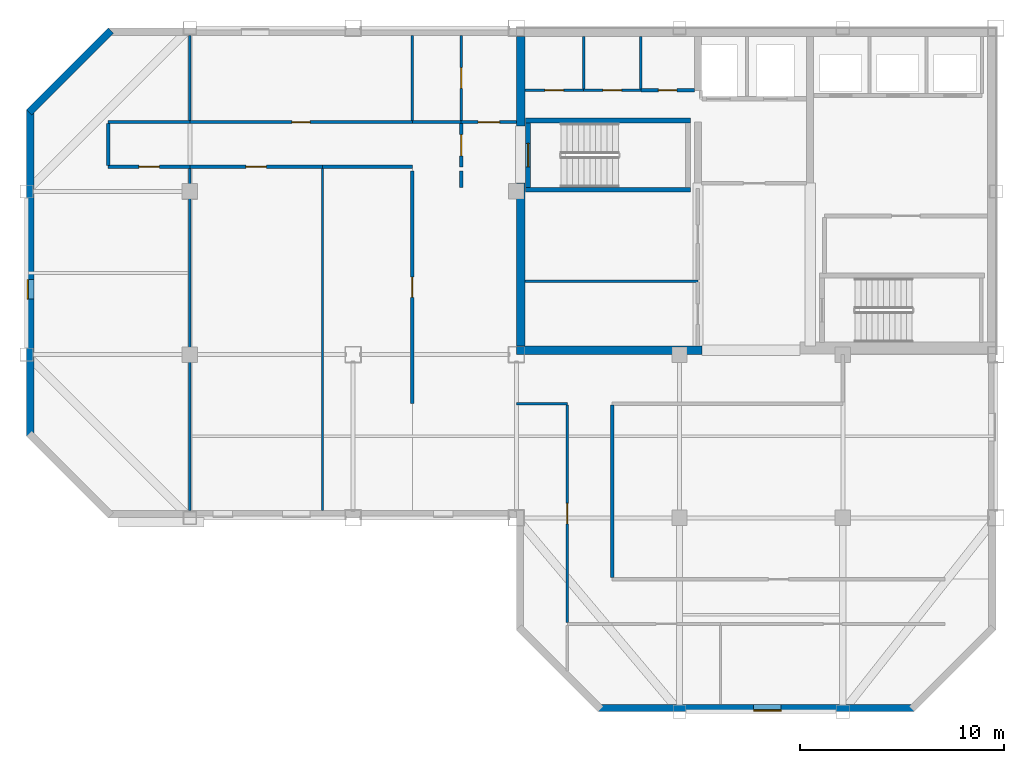
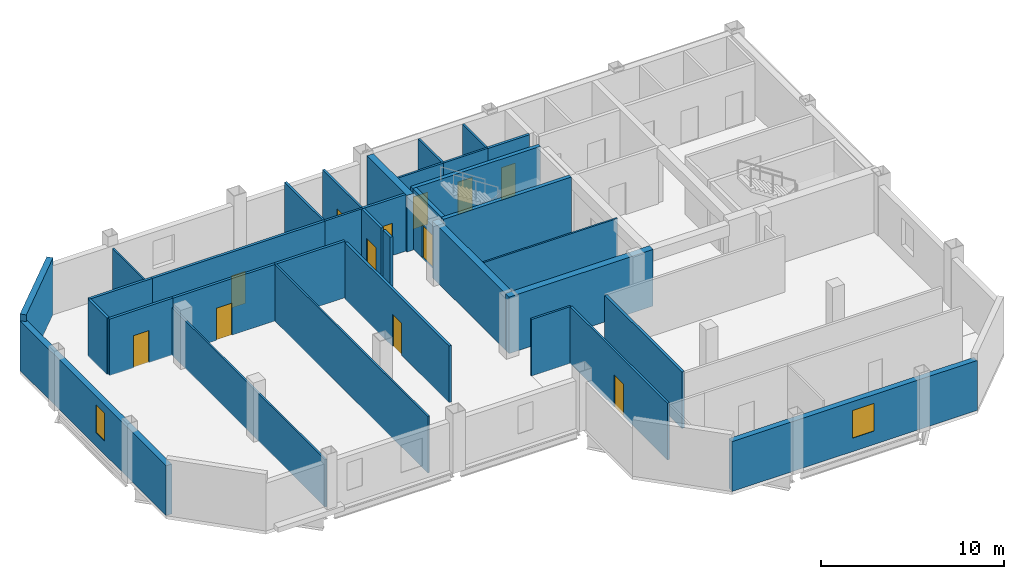
# One storey, part 2 of 6: 34 walls, 12 doors, 2 windows, 14 openings.
"""IFC4 building model written with IfcOpenShell, lengths in metres."""

from ifc_helpers import new_model, si_unit, direction, frame, frame_2d, origin, place, context, subcontext, project, spatial, rectangle, extrude, material, layer, layer_set, type_object, element, fill, save


model = new_model("IFC4")

# Units and contexts
model_context = context("Model", 3, precision=1e-05, world=origin(), true_north=direction((0.0, 1.0)))
body_context = subcontext(model_context, "Body", "Model", "MODEL_VIEW")
ifc_project = project(units=[si_unit("LENGTHUNIT", "METRE"), si_unit("AREAUNIT", "SQUARE_METRE"), si_unit("VOLUMEUNIT", "CUBIC_METRE"), si_unit("PLANEANGLEUNIT", "RADIAN"), si_unit("MASSUNIT", "GRAM", prefix="KILO")], contexts=[model_context])

# Site, building, storey
site_placement = place(None, origin())
site = spatial("IfcSite", under=ifc_project, at=site_placement, CompositionType="ELEMENT")
building_placement = place(site_placement, origin())
building = spatial("IfcBuilding", under=site, at=building_placement, Name="Qianrong Seaharbour Tower", CompositionType="ELEMENT")
storey_placement = place(building_placement, frame((0.0, 0.0, 319.199951171875)))
storey = spatial("IfcBuildingStorey", under=building, at=storey_placement, Name="L77", CompositionType="ELEMENT", Elevation=319.199951171875)

# Walls
ifc_material_1 = material(Name="Concrete C50/60", Category="concrete")
ifc_layer_1 = layer(ifc_material_1, 0.419921875)
ifc_layer_set_1 = layer_set([ifc_layer_1], Name="Concrete C50/60")
wall_type_1 = type_object("IfcWallType", Name="WALL-CORE-420", PredefinedType="SHEAR", material=ifc_layer_set_1)
wall_1_placement = place(storey_placement, frame((40.7099609375, 36.419921875, 0.0), z_axis=(0.0, 0.0, 1.0), x_axis=(0.0, 1.0, 0.0)))
element("IfcWall", 1, at=wall_1_placement, inside=storey, type_object=wall_type_1, Name="L77 West Core Shear Wall South", PredefinedType="SHEAR", context=body_context, shape_type="SweptSolid", body=[
    extrude(rectangle(XDim=7.97998046875, YDim=0.419921875, at=frame_2d((3.989990234375, 0.0))), origin(), (0.0, 0.0, 1.0), 3.78515625),
])
wall_2_placement = place(storey_placement, frame((40.7099609375, 47.199951171875, 0.0), z_axis=(0.0, 0.0, 1.0), x_axis=(0.0, 1.0, 0.0)))
element("IfcWall", 2, at=wall_2_placement, inside=storey, type_object=wall_type_1, Name="L77 West Core Shear Wall North", PredefinedType="SHEAR", context=body_context, shape_type="SweptSolid", body=[
    extrude(rectangle(XDim=4.380126953125, YDim=0.419921875, at=frame_2d((2.18994140625, 0.0))), origin(), (0.0, 0.0, 1.0), 3.78515625),
])
wall_3_placement = place(storey_placement, frame((40.5, 36.2099609375, 0.0), z_axis=(0.0, 0.0, 1.0), x_axis=(1.0, 0.0, 0.0)))
element("IfcWall", 3, at=wall_3_placement, inside=storey, type_object=wall_type_1, Name="L77 South Core Shear Wall S1", PredefinedType="SHEAR", context=body_context, shape_type="SweptSolid", body=[
    extrude(rectangle(XDim=9.10009765625, YDim=0.419921875, at=frame_2d((4.550048828125, 0.0))), origin(), (0.0, 0.0, 1.0), 3.78515625),
])

# Wall, opening, door
ifc_material_2 = material(Name="Fire-rated acoustic gypsum board partition")
ifc_layer_2 = layer(ifc_material_2, 0.1650390625)
ifc_layer_set_2 = layer_set([ifc_layer_2], Name="Fire-rated acoustic gypsum board partition")
wall_type_2 = type_object("IfcWallType", Name="WALL-CORR-PART-165", PredefinedType="PARTITIONING", material=ifc_layer_set_2)
wall_4_placement = place(storey_placement, frame((37.800048828125, 47.39990234375, 0.0), z_axis=(0.0, 0.0, 1.0), x_axis=(1.0, 0.0, 0.0)))
wall_4 = element("IfcWall", 4, at=wall_4_placement, inside=storey, type_object=wall_type_2, Name="L77 Interior Partition Wall 001", PredefinedType="PARTITIONING", context=body_context, shape_type="SweptSolid", body=[
    extrude(rectangle(XDim=2.699951171875, YDim=0.1650390625, at=frame_2d((1.35009765625, 0.0))), origin(), (0.0, 0.0, 1.0), 3.78515625),
])
opening_1_placement = place(wall_4_placement, frame((0.824951171875, 0.0, 0.0)))
opening_1 = element("IfcOpeningElement", 5, at=opening_1_placement, cuts=wall_4, Name="Opening DC-01", PredefinedType="OPENING", context=body_context, shape_type="SweptSolid", body=[
    extrude(rectangle(XDim=1.050048828125, YDim=2.14990234375, at=frame_2d((0.52490234375, 1.074951171875))), frame((0.0, 0.092529296875, 0.0), z_axis=(0.0, -1.0, 0.0), x_axis=(1.0, 0.0, 0.0)), (0.0, 0.0, 1.0), 0.18505859375),
])
ifc_material_3 = material(Name="Acoustic timber and galvanized steel fire door assembly", Category="steel")
door_type_1 = type_object("IfcDoorType", Name="DOOR-CORR-FD60-1050x2150", OperationType="NOTDEFINED", PredefinedType="DOOR", material=ifc_material_3)
door_1_placement = place(opening_1_placement, origin())
door_1 = element("IfcDoor", 6, at=door_1_placement, inside=storey, type_object=door_type_1, Name="L77 Smokeproof Stair Vestibule ST-1 Door", OperationType="SINGLE_SWING_LEFT", OverallHeight=2.14990234375, OverallWidth=1.050048828125, PredefinedType="DOOR", context=body_context, shape_type="SweptSolid", body=[
    extrude(rectangle(XDim=1.050048828125, YDim=2.14990234375, at=frame_2d((0.52490234375, 1.074951171875))), frame((0.0, 0.02490234375, 0.0), z_axis=(0.0, -1.0, 0.0), x_axis=(1.0, 0.0, 0.0)), (0.0, 0.0, 1.0), 0.050048828125),
])
fill(opening_1, door_1)

wall_5_placement = place(storey_placement, frame((37.800048828125, 45.199951171875, 0.0), z_axis=(0.0, 0.0, 1.0), x_axis=(0.0, 1.0, 0.0)))
wall_5 = element("IfcWall", 7, at=wall_5_placement, inside=storey, type_object=wall_type_2, Name="L77 Interior Partition Wall 002", PredefinedType="PARTITIONING", context=body_context, shape_type="SweptSolid", body=[
    extrude(rectangle(XDim=2.12548828125, YDim=0.1650390625, at=frame_2d((1.062744140625, 0.0))), origin(), (0.0, 0.0, 1.0), 3.78515625),
])
opening_2_placement = place(wall_5_placement, frame((0.537841796875, 0.0, 0.0)))
opening_2 = element("IfcOpeningElement", 8, at=opening_2_placement, cuts=wall_5, Name="Opening DC-01", PredefinedType="OPENING", context=body_context, shape_type="SweptSolid", body=[
    extrude(rectangle(XDim=1.050048828125, YDim=2.14990234375, at=frame_2d((0.52490234375, 1.074951171875))), frame((0.0, 0.092529296875, 0.0), z_axis=(0.0, -1.0, 0.0), x_axis=(1.0, 0.0, 0.0)), (0.0, 0.0, 1.0), 0.18505859375),
])
door_2_placement = place(opening_2_placement, origin())
door_2 = element("IfcDoor", 9, at=door_2_placement, inside=storey, type_object=door_type_1, Name="L77 Smokeproof Stair Vestibule ST-1 Door", OperationType="SINGLE_SWING_RIGHT", OverallHeight=2.14990234375, OverallWidth=1.050048828125, PredefinedType="DOOR", context=body_context, shape_type="SweptSolid", body=[
    extrude(rectangle(XDim=1.050048828125, YDim=2.14990234375, at=frame_2d((0.52490234375, 1.074951171875))), frame((0.0, 0.02490234375, 0.0), z_axis=(0.0, -1.0, 0.0), x_axis=(1.0, 0.0, 0.0)), (0.0, 0.0, 1.0), 0.050048828125),
])
fill(opening_2, door_2)

# Wall
wall_6_placement = place(storey_placement, frame((37.800048828125, 44.199951171875, 0.0), z_axis=(0.0, 0.0, 1.0), x_axis=(0.0, 1.0, 0.0)))
element("IfcWall", 10, at=wall_6_placement, inside=storey, type_object=wall_type_2, Name="L77 Interior Partition Wall 003", PredefinedType="PARTITIONING", context=body_context, shape_type="SweptSolid", body=[
    extrude(rectangle(XDim=0.800048828125, YDim=0.1650390625, at=frame_2d((0.39990234375, 0.0))), origin(), (0.0, 0.0, 1.0), 3.78515625),
])

# Wall, opening, door
wall_7_placement = place(storey_placement, frame((46.60009765625, 48.949951171875, 0.0), z_axis=(0.0, 0.0, 1.0), x_axis=(1.0, 0.0, 0.0)))
wall_7 = element("IfcWall", 11, at=wall_7_placement, inside=storey, type_object=wall_type_2, Name="L77 Interior Partition Wall 009", PredefinedType="PARTITIONING", context=body_context, shape_type="SweptSolid", body=[
    extrude(rectangle(XDim=2.6328125, YDim=0.1650390625, at=frame_2d((1.31640625, 0.0))), origin(), (0.0, 0.0, 1.0), 3.78515625),
])
opening_3_placement = place(wall_7_placement, frame((0.866455078125, 0.0, 0.0)))
opening_3 = element("IfcOpeningElement", 12, at=opening_3_placement, cuts=wall_7, Name="Opening DS-01", PredefinedType="OPENING", context=body_context, shape_type="SweptSolid", body=[
    extrude(rectangle(XDim=0.89990234375, YDim=2.14990234375, at=frame_2d((0.449951171875, 1.074951171875))), frame((0.0, 0.092529296875, 0.0), z_axis=(0.0, -1.0, 0.0), x_axis=(1.0, 0.0, 0.0)), (0.0, 0.0, 1.0), 0.18505859375),
])
door_type_2 = type_object("IfcDoorType", Name="DOOR-STORE-900x2150", OperationType="NOTDEFINED", PredefinedType="DOOR", material=ifc_material_3)
door_3_placement = place(opening_3_placement, origin())
door_3 = element("IfcDoor", 13, at=door_3_placement, inside=storey, type_object=door_type_2, Name="L77 Cleaner Store Room Door", OperationType="SINGLE_SWING_LEFT", OverallHeight=2.14990234375, OverallWidth=0.89990234375, PredefinedType="DOOR", context=body_context, shape_type="SweptSolid", body=[
    extrude(rectangle(XDim=0.89990234375, YDim=2.14990234375, at=frame_2d((0.449951171875, 1.074951171875))), frame((0.0, 0.02490234375, 0.0), z_axis=(0.0, -1.0, 0.0), x_axis=(1.0, 0.0, 0.0)), (0.0, 0.0, 1.0), 0.050048828125),
])
fill(opening_3, door_3)

wall_8_placement = place(storey_placement, frame((24.5, 45.199951171875, 0.0), z_axis=(0.0, 0.0, 1.0), x_axis=(-1.0, 0.0, 0.0)))
wall_8 = element("IfcWall", 14, at=wall_8_placement, inside=storey, type_object=wall_type_2, Name="L77 Interior Partition Wall 018", PredefinedType="PARTITIONING", context=body_context, shape_type="SweptSolid", body=[
    extrude(rectangle(XDim=4.0, YDim=0.1650390625, at=frame_2d((2.0, 0.0))), origin(), (0.0, 0.0, 1.0), 3.78515625),
])
opening_4_placement = place(wall_8_placement, frame((1.5, 0.0, 0.0)))
opening_4 = element("IfcOpeningElement", 15, at=opening_4_placement, cuts=wall_8, Name="Opening DO-01", PredefinedType="OPENING", context=body_context, shape_type="SweptSolid", body=[
    extrude(rectangle(XDim=1.0, YDim=2.14990234375, at=frame_2d((0.5, 1.074951171875))), frame((0.0, 0.092529296875, 0.0), z_axis=(0.0, -1.0, 0.0), x_axis=(1.0, 0.0, 0.0)), (0.0, 0.0, 1.0), 0.18505859375),
])
door_type_3 = type_object("IfcDoorType", Name="DOOR-OFFICE-1000x2150", OperationType="NOTDEFINED", PredefinedType="DOOR", material=ifc_material_3)
door_4_placement = place(opening_4_placement, origin())
door_4 = element("IfcDoor", 16, at=door_4_placement, inside=storey, type_object=door_type_3, Name="L77 West Harbour Open-Plan Office Door", OperationType="SINGLE_SWING_RIGHT", OverallHeight=2.14990234375, OverallWidth=1.0, PredefinedType="DOOR", context=body_context, shape_type="SweptSolid", body=[
    extrude(rectangle(XDim=1.0, YDim=2.14990234375, at=frame_2d((0.5, 1.074951171875))), frame((0.0, 0.02490234375, 0.0), z_axis=(0.0, -1.0, 0.0), x_axis=(1.0, 0.0, 0.0)), (0.0, 0.0, 1.0), 0.050048828125),
])
fill(opening_4, door_4)

# Walls
wall_9_placement = place(storey_placement, frame((20.5, 45.2744140625, 0.0), z_axis=(0.0, 0.0, 1.0), x_axis=(0.0, 1.0, 0.0)))
element("IfcWall", 17, at=wall_9_placement, inside=storey, type_object=wall_type_2, Name="L77 Interior Partition Wall 019", PredefinedType="PARTITIONING", context=body_context, shape_type="SweptSolid", body=[
    extrude(rectangle(XDim=2.051025390625, YDim=0.1650390625, at=frame_2d((1.025390625, 0.0))), origin(), (0.0, 0.0, 1.0), 3.78515625),
])
wall_10_placement = place(storey_placement, frame((20.5, 47.39990234375, 0.0), z_axis=(0.0, 0.0, 1.0), x_axis=(1.0, 0.0, 0.0)))
element("IfcWall", 18, at=wall_10_placement, inside=storey, type_object=wall_type_2, Name="L77 Interior Partition Wall 020", PredefinedType="PARTITIONING", context=body_context, shape_type="SweptSolid", body=[
    extrude(rectangle(XDim=4.0, YDim=0.1650390625, at=frame_2d((2.0, 0.0))), origin(), (0.0, 0.0, 1.0), 3.78515625),
])

# Wall, opening, door
wall_11_placement = place(storey_placement, frame((24.5, 47.39990234375, 0.0), z_axis=(0.0, 0.0, 1.0), x_axis=(1.0, 0.0, 0.0)))
wall_11 = element("IfcWall", 19, at=wall_11_placement, inside=storey, type_object=wall_type_2, Name="L77 Interior Partition Wall 021", PredefinedType="PARTITIONING", context=body_context, shape_type="SweptSolid", body=[
    extrude(rectangle(XDim=10.89990234375, YDim=0.1650390625, at=frame_2d((5.449951171875, 0.0))), origin(), (0.0, 0.0, 1.0), 3.78515625),
])
opening_5_placement = place(wall_11_placement, frame((5.0, 0.0, 0.0)))
opening_5 = element("IfcOpeningElement", 20, at=opening_5_placement, cuts=wall_11, Name="Opening DS-01", PredefinedType="OPENING", context=body_context, shape_type="SweptSolid", body=[
    extrude(rectangle(XDim=0.89990234375, YDim=2.14990234375, at=frame_2d((0.449951171875, 1.074951171875))), frame((0.0, 0.092529296875, 0.0), z_axis=(0.0, -1.0, 0.0), x_axis=(1.0, 0.0, 0.0)), (0.0, 0.0, 1.0), 0.18505859375),
])
door_5_placement = place(opening_5_placement, origin())
door_5 = element("IfcDoor", 21, at=door_5_placement, inside=storey, type_object=door_type_2, Name="L77 Corporate Archive Room Door", OperationType="SINGLE_SWING_LEFT", OverallHeight=2.14990234375, OverallWidth=0.89990234375, PredefinedType="DOOR", context=body_context, shape_type="SweptSolid", body=[
    extrude(rectangle(XDim=0.89990234375, YDim=2.14990234375, at=frame_2d((0.449951171875, 1.074951171875))), frame((0.0, 0.02490234375, 0.0), z_axis=(0.0, -1.0, 0.0), x_axis=(1.0, 0.0, 0.0)), (0.0, 0.0, 1.0), 0.050048828125),
])
fill(opening_5, door_5)

wall_12_placement = place(storey_placement, frame((31.0, 45.199951171875, 0.0), z_axis=(0.0, 0.0, 1.0), x_axis=(-1.0, 0.0, 0.0)))
wall_12 = element("IfcWall", 22, at=wall_12_placement, inside=storey, type_object=wall_type_2, Name="L77 Interior Partition Wall 022", PredefinedType="PARTITIONING", context=body_context, shape_type="SweptSolid", body=[
    extrude(rectangle(XDim=6.5, YDim=0.1650390625, at=frame_2d((3.25, 0.0))), origin(), (0.0, 0.0, 1.0), 3.78515625),
])
opening_6_placement = place(wall_12_placement, frame((2.75, 0.0, 0.0)))
opening_6 = element("IfcOpeningElement", 23, at=opening_6_placement, cuts=wall_12, Name="Opening DO-01", PredefinedType="OPENING", context=body_context, shape_type="SweptSolid", body=[
    extrude(rectangle(XDim=1.0, YDim=2.14990234375, at=frame_2d((0.5, 1.074951171875))), frame((0.0, 0.092529296875, 0.0), z_axis=(0.0, -1.0, 0.0), x_axis=(1.0, 0.0, 0.0)), (0.0, 0.0, 1.0), 0.18505859375),
])
door_6_placement = place(opening_6_placement, origin())
door_6 = element("IfcDoor", 24, at=door_6_placement, inside=storey, type_object=door_type_3, Name="L77 Project Library 1 Door", OperationType="SINGLE_SWING_RIGHT", OverallHeight=2.14990234375, OverallWidth=1.0, PredefinedType="DOOR", context=body_context, shape_type="SweptSolid", body=[
    extrude(rectangle(XDim=1.0, YDim=2.14990234375, at=frame_2d((0.5, 1.074951171875))), frame((0.0, 0.02490234375, 0.0), z_axis=(0.0, -1.0, 0.0), x_axis=(1.0, 0.0, 0.0)), (0.0, 0.0, 1.0), 0.050048828125),
])
fill(opening_6, door_6)

# Wall
wall_13_placement = place(storey_placement, frame((35.39990234375, 45.199951171875, 0.0), z_axis=(0.0, 0.0, 1.0), x_axis=(-1.0, 0.0, 0.0)))
element("IfcWall", 25, at=wall_13_placement, inside=storey, type_object=wall_type_2, Name="L77 Interior Partition Wall 023", PredefinedType="PARTITIONING", context=body_context, shape_type="SweptSolid", body=[
    extrude(rectangle(XDim=4.39990234375, YDim=0.1650390625, at=frame_2d((2.199951171875, 0.0))), origin(), (0.0, 0.0, 1.0), 3.78515625),
])

# Wall, opening, door
wall_14_placement = place(storey_placement, frame((35.39990234375, 33.60009765625, 0.0), z_axis=(0.0, 0.0, 1.0), x_axis=(0.0, 1.0, 0.0)))
wall_14 = element("IfcWall", 26, at=wall_14_placement, inside=storey, type_object=wall_type_2, Name="L77 Interior Partition Wall 024", PredefinedType="PARTITIONING", context=body_context, shape_type="SweptSolid", body=[
    extrude(rectangle(XDim=11.39990234375, YDim=0.1650390625, at=frame_2d((5.699951171875, 0.0))), origin(), (0.0, 0.0, 1.0), 3.78515625),
])
opening_7_placement = place(wall_14_placement, frame((5.199951171875, 0.0, 0.0)))
opening_7 = element("IfcOpeningElement", 27, at=opening_7_placement, cuts=wall_14, Name="Opening DO-01", PredefinedType="OPENING", context=body_context, shape_type="SweptSolid", body=[
    extrude(rectangle(XDim=1.0, YDim=2.14990234375, at=frame_2d((0.5, 1.074951171875))), frame((0.0, 0.092529296875, 0.0), z_axis=(0.0, -1.0, 0.0), x_axis=(1.0, 0.0, 0.0)), (0.0, 0.0, 1.0), 0.18505859375),
])
door_7_placement = place(opening_7_placement, origin())
door_7 = element("IfcDoor", 28, at=door_7_placement, inside=storey, type_object=door_type_3, Name="L77 Digital Media Hall 2 Door", OperationType="SINGLE_SWING_LEFT", OverallHeight=2.14990234375, OverallWidth=1.0, PredefinedType="DOOR", context=body_context, shape_type="SweptSolid", body=[
    extrude(rectangle(XDim=1.0, YDim=2.14990234375, at=frame_2d((0.5, 1.074951171875))), frame((0.0, 0.02490234375, 0.0), z_axis=(0.0, -1.0, 0.0), x_axis=(1.0, 0.0, 0.0)), (0.0, 0.0, 1.0), 0.050048828125),
])
fill(opening_7, door_7)

# Walls
wall_15_placement = place(storey_placement, frame((45.199951171875, 33.525390625, 0.0), z_axis=(0.0, 0.0, 1.0), x_axis=(0.0, -1.0, 0.0)))
element("IfcWall", 29, at=wall_15_placement, inside=storey, type_object=wall_type_2, Name="L77 Interior Partition Wall 028", PredefinedType="PARTITIONING", context=body_context, shape_type="SweptSolid", body=[
    extrude(rectangle(XDim=8.450927734375, YDim=0.1650390625, at=frame_2d((4.2255859375, 0.0))), origin(), (0.0, 0.0, 1.0), 3.78515625),
])
ifc_material_4 = material(Name="Demountable aluminium-framed acoustic office partition", Category="aluminium")
ifc_layer_3 = layer(ifc_material_4, 0.110107421875)
ifc_layer_set_3 = layer_set([ifc_layer_3], Name="Demountable aluminium-framed acoustic office partition")
wall_type_3 = type_object("IfcWallType", Name="WALL-DEMOUNT-110", PredefinedType="MOVABLE", material=ifc_layer_set_3)
wall_16_placement = place(storey_placement, frame((40.919921875, 39.60009765625, 0.0), z_axis=(0.0, 0.0, 1.0), x_axis=(1.0, 0.0, 0.0)))
element("IfcWall", 30, at=wall_16_placement, inside=storey, type_object=wall_type_3, Name="L77 Interior Partition Wall 014", PredefinedType="MOVABLE", context=body_context, shape_type="SweptSolid", body=[
    extrude(rectangle(XDim=8.47998046875, YDim=0.110107421875, at=frame_2d((4.239990234375, 0.0))), origin(), (0.0, 0.0, 1.0), 3.78515625),
])
wall_17_placement = place(storey_placement, frame((24.5, 51.64794921875, 0.0), z_axis=(0.0, 0.0, 1.0), x_axis=(0.0, -1.0, 0.0)))
element("IfcWall", 31, at=wall_17_placement, inside=storey, type_object=wall_type_3, Name="L77 Interior Partition Wall 034", PredefinedType="MOVABLE", context=body_context, shape_type="SweptSolid", body=[
    extrude(rectangle(XDim=4.17333984375, YDim=0.110107421875, at=frame_2d((2.086669921875, 0.0))), origin(), (0.0, 0.0, 1.0), 3.177001953125),
])
wall_18_placement = place(storey_placement, frame((24.5, 45.12548828125, 0.0), z_axis=(0.0, 0.0, 1.0), x_axis=(0.0, -1.0, 0.0)))
element("IfcWall", 32, at=wall_18_placement, inside=storey, type_object=wall_type_3, Name="L77 Interior Partition Wall 035", PredefinedType="MOVABLE", context=body_context, shape_type="SweptSolid", body=[
    extrude(rectangle(XDim=16.7734375, YDim=0.110107421875, at=frame_2d((8.38671875, 0.0))), origin(), (0.0, 0.0, 1.0), 3.177001953125),
])
wall_19_placement = place(storey_placement, frame((31.0, 45.12548828125, 0.0), z_axis=(0.0, 0.0, 1.0), x_axis=(0.0, -1.0, 0.0)))
element("IfcWall", 33, at=wall_19_placement, inside=storey, type_object=wall_type_3, Name="L77 Interior Partition Wall 036", PredefinedType="MOVABLE", context=body_context, shape_type="SweptSolid", body=[
    extrude(rectangle(XDim=16.7734375, YDim=0.110107421875, at=frame_2d((8.38671875, 0.0))), origin(), (0.0, 0.0, 1.0), 3.78515625),
])

# Wall, opening, window
ifc_material_5 = material(Name="Unitised red brick on Precast concrete C45/55", Category="masonry")
ifc_layer_4 = layer(ifc_material_5, 0.360107421875)
ifc_layer_set_4 = layer_set([ifc_layer_4], Name="Unitised red brick on Precast concrete C45/55")
wall_type_4 = type_object("IfcWallType", Name="WALL-EXT-BRICK-RED-360", PredefinedType="SOLIDWALL", material=ifc_layer_set_4)
wall_20_placement = place(storey_placement, frame((16.679931640625, 32.0, 0.0), z_axis=(0.0, 0.0, 1.0), x_axis=(0.0, 1.0, 0.0)))
wall_20 = element("IfcWall", 34, at=wall_20_placement, inside=storey, type_object=wall_type_4, Name="L77 Exterior Masonry Facade Wall WEST_TIP", PredefinedType="SOLIDWALL", context=body_context, shape_type="SweptSolid", body=[
    extrude(rectangle(XDim=16.0, YDim=0.360107421875, at=frame_2d((8.0, 0.0))), origin(), (0.0, 0.0, 1.0), 3.3349609375),
])
opening_8_placement = place(wall_20_placement, frame((6.72509765625, 0.0, 0.89990234375)))
opening_8 = element("IfcOpeningElement", 35, at=opening_8_placement, cuts=wall_20, Name="Opening WN-13", PredefinedType="OPENING", context=body_context, shape_type="SweptSolid", body=[
    extrude(rectangle(XDim=0.949951171875, YDim=1.85009765625, at=frame_2d((0.47509765625, 0.925048828125))), frame((0.0, 0.18994140625, 0.0), z_axis=(0.0, -1.0, 0.0), x_axis=(1.0, 0.0, 0.0)), (0.0, 0.0, 1.0), 0.380126953125),
])
ifc_material_6 = material(Name="Insulated low-e double glazing in thermally broken aluminium 6063-T6 frame", Category="aluminium")
window_type_1 = type_object("IfcWindowType", Name="WIN-NARROW-950x1850", PartitioningType="SINGLE_PANEL", PredefinedType="WINDOW", material=ifc_material_6)
window_1_placement = place(opening_8_placement, origin())
window_1 = element("IfcWindow", 36, at=window_1_placement, inside=storey, type_object=window_type_1, Name="L77 Deep-Set Punched Window 03.02", OverallHeight=1.85009765625, OverallWidth=0.949951171875, PartitioningType="SINGLE_PANEL", PredefinedType="WINDOW", context=body_context, shape_type="SweptSolid", body=[
    extrude(rectangle(XDim=0.949951171875, YDim=1.85009765625, at=frame_2d((0.47509765625, 0.925048828125))), frame((0.0, 0.150146484375, 0.0), z_axis=(0.0, -1.0, 0.0), x_axis=(1.0, 0.0, 0.0)), (0.0, 0.0, 1.0), 0.06005859375),
])
fill(opening_8, window_1)

# Wall
wall_21_placement = place(storey_placement, frame((16.627197265625, 47.872802734375, 0.0), z_axis=(0.0, 0.0, 1.0), x_axis=(0.707106781187, 0.707106781187, 0.0)))
element("IfcWall", 37, at=wall_21_placement, inside=storey, type_object=wall_type_4, Name="L77 Exterior Masonry Facade Wall E04", PredefinedType="SOLIDWALL", context=body_context, shape_type="SweptSolid", body=[
    extrude(rectangle(XDim=5.65673828125, YDim=0.360107421875, at=frame_2d((2.828369140625, 0.0))), origin(), (0.0, 0.0, 1.0), 3.78515625),
])

# Wall, opening, window
wall_22_placement = place(storey_placement, frame((60.0, 18.679931640625, 0.0), z_axis=(0.0, 0.0, 1.0), x_axis=(-1.0, 0.0, 0.0)))
wall_22 = element("IfcWall", 38, at=wall_22_placement, inside=storey, type_object=wall_type_4, Name="L77 Exterior Masonry Facade Wall SOUTH_TIP", PredefinedType="SOLIDWALL", context=body_context, shape_type="SweptSolid", body=[
    extrude(rectangle(XDim=15.5, YDim=0.360107421875, at=frame_2d((7.75, 0.0))), origin(), (0.0, 0.0, 1.0), 3.3349609375),
])
opening_9_placement = place(wall_22_placement, frame((6.52490234375, 0.0, 0.89990234375)))
opening_9 = element("IfcOpeningElement", 39, at=opening_9_placement, cuts=wall_22, Name="Opening WN-02", PredefinedType="OPENING", context=body_context, shape_type="SweptSolid", body=[
    extrude(rectangle(XDim=1.35009765625, YDim=1.85009765625, at=frame_2d((0.675048828125, 0.925048828125))), frame((0.0, 0.18994140625, 0.0), z_axis=(0.0, -1.0, 0.0), x_axis=(1.0, 0.0, 0.0)), (0.0, 0.0, 1.0), 0.380126953125),
])
window_type_2 = type_object("IfcWindowType", Name="WIN-PUNCH-1350x1850", PartitioningType="DOUBLE_PANEL_VERTICAL", PredefinedType="WINDOW", material=ifc_material_6)
window_2_placement = place(opening_9_placement, origin())
window_2 = element("IfcWindow", 40, at=window_2_placement, inside=storey, type_object=window_type_2, Name="L77 Deep-Set Punched Window 08.02", OverallHeight=1.85009765625, OverallWidth=1.35009765625, PartitioningType="DOUBLE_PANEL_VERTICAL", PredefinedType="WINDOW", context=body_context, shape_type="SweptSolid", body=[
    extrude(rectangle(XDim=1.35009765625, YDim=1.85009765625, at=frame_2d((0.675048828125, 0.925048828125))), frame((0.0, 0.150146484375, 0.0), z_axis=(0.0, -1.0, 0.0), x_axis=(1.0, 0.0, 0.0)), (0.0, 0.0, 1.0), 0.06005859375),
])
fill(opening_9, window_2)

# Walls
ifc_layer_5 = layer(ifc_material_1, 0.239990234375)
ifc_layer_set_5 = layer_set([ifc_layer_5], Name="Concrete C50/60")
wall_type_5 = type_object("IfcWallType", Name="WALL-SHAFT-RC240", PredefinedType="SOLIDWALL", material=ifc_layer_set_5)
for number, where, z_axis, x_axis, name in (
    (41, (40.9599609375, 47.469970703125, 0.0), (0.0, 0.0, 1.0), (1.0, 0.0, 0.0), "L77 ST-1 Structural Stair Core Wall N"),
    (42, (49.0400390625, 44.080078125, 0.0), (0.0, 0.0, 1.0), (-1.0, 0.0, 0.0), "L77 ST-1 Structural Stair Core Wall S"),
):
    element("IfcWall", number, at=place(storey_placement, frame(where, z_axis=z_axis, x_axis=x_axis)), inside=storey, type_object=wall_type_5, Name=name, PredefinedType="SOLIDWALL", context=body_context, shape_type="SweptSolid", body=[
        extrude(rectangle(XDim=8.080078125, YDim=0.239990234375, at=frame_2d((4.0400390625, 0.0))), origin(), (0.0, 0.0, 1.0), 4.0),
    ])

# Wall, opening, door
wall_23_placement = place(storey_placement, frame((41.080078125, 47.35009765625, 0.0), z_axis=(0.0, 0.0, 1.0), x_axis=(0.0, -1.0, 0.0)))
wall_23 = element("IfcWall", 43, at=wall_23_placement, inside=storey, type_object=wall_type_5, Name="L77 ST-1 Structural Stair Core Wall W", PredefinedType="SOLIDWALL", context=body_context, shape_type="SweptSolid", body=[
    extrude(rectangle(XDim=3.150146484375, YDim=0.239990234375, at=frame_2d((1.5751953125, 0.0))), origin(), (0.0, 0.0, 1.0), 4.0),
])
opening_10_placement = place(wall_23_placement, frame((1.0, 0.0, 0.0)))
opening_10 = element("IfcOpeningElement", 44, at=opening_10_placement, cuts=wall_23, Name="Opening SD-01", PredefinedType="OPENING", context=body_context, shape_type="SweptSolid", body=[
    extrude(rectangle(XDim=1.14990234375, YDim=2.199951171875, at=frame_2d((0.574951171875, 1.10009765625))), frame((0.0, 0.1298828125, 0.0), z_axis=(0.0, -1.0, 0.0), x_axis=(1.0, 0.0, 0.0)), (0.0, 0.0, 1.0), 0.260009765625),
])
door_type_4 = type_object("IfcDoorType", Name="DOOR-STAIR-FD60-1150x2200", OperationType="NOTDEFINED", PredefinedType="DOOR", material=ifc_material_3)
door_8_placement = place(opening_10_placement, origin())
door_8 = element("IfcDoor", 45, at=door_8_placement, inside=storey, type_object=door_type_4, Name="L77 ST-1 Protected Stair Door", OperationType="SINGLE_SWING_RIGHT", OverallHeight=2.199951171875, OverallWidth=1.14990234375, PredefinedType="DOOR", context=body_context, shape_type="SweptSolid", body=[
    extrude(rectangle(XDim=1.14990234375, YDim=2.199951171875, at=frame_2d((0.574951171875, 1.10009765625))), frame((0.0, 0.02490234375, 0.0), z_axis=(0.0, -1.0, 0.0), x_axis=(1.0, 0.0, 0.0)), (0.0, 0.0, 1.0), 0.050048828125),
])
fill(opening_10, door_8)

ifc_material_7 = material(Name="Water-resistant cement board sanitary partition")
ifc_layer_6 = layer(ifc_material_7, 0.1298828125)
ifc_layer_set_6 = layer_set([ifc_layer_6], Name="Water-resistant cement board sanitary partition")
wall_type_6 = type_object("IfcWallType", Name="WALL-WET-PART-130", PredefinedType="PARTITIONING", material=ifc_layer_set_6)
wall_24_placement = place(storey_placement, frame((37.800048828125, 47.474609375, 0.0), z_axis=(0.0, 0.0, 1.0), x_axis=(0.0, 1.0, 0.0)))
wall_24 = element("IfcWall", 46, at=wall_24_placement, inside=storey, type_object=wall_type_6, Name="L77 Interior Partition Wall 004", PredefinedType="PARTITIONING", context=body_context, shape_type="SweptSolid", body=[
    extrude(rectangle(XDim=4.17333984375, YDim=0.1298828125, at=frame_2d((2.086669921875, 0.0))), origin(), (0.0, 0.0, 1.0), 3.78515625),
])
opening_11_placement = place(wall_24_placement, frame((1.57666015625, 0.0, 0.0)))
opening_11 = element("IfcOpeningElement", 47, at=opening_11_placement, cuts=wall_24, Name="Opening DAW-01", PredefinedType="OPENING", context=body_context, shape_type="SweptSolid", body=[
    extrude(rectangle(XDim=1.02001953125, YDim=2.14990234375, at=frame_2d((0.510009765625, 1.074951171875))), frame((0.0, 0.074951171875, 0.0), z_axis=(0.0, -1.0, 0.0), x_axis=(1.0, 0.0, 0.0)), (0.0, 0.0, 1.0), 0.14990234375),
])
door_type_5 = type_object("IfcDoorType", Name="DOOR-AWC-SLIDE-1020x2150", OperationType="SLIDING_TO_LEFT", PredefinedType="DOOR", material=ifc_material_3)
door_9_placement = place(opening_11_placement, origin())
door_9 = element("IfcDoor", 48, at=door_9_placement, inside=storey, type_object=door_type_5, Name="L77 Accessible Restroom WC Door", OperationType="SLIDING_TO_LEFT", OverallHeight=2.14990234375, OverallWidth=1.02001953125, PredefinedType="DOOR", context=body_context, shape_type="SweptSolid", body=[
    extrude(rectangle(XDim=1.02001953125, YDim=2.14990234375, at=frame_2d((0.510009765625, 1.074951171875))), frame((0.0, 0.02490234375, 0.0), z_axis=(0.0, -1.0, 0.0), x_axis=(1.0, 0.0, 0.0)), (0.0, 0.0, 1.0), 0.050048828125),
])
fill(opening_11, door_9)

# Walls
wall_25_placement = place(storey_placement, frame((37.800048828125, 47.39990234375, 0.0), z_axis=(0.0, 0.0, 1.0), x_axis=(-1.0, 0.0, 0.0)))
element("IfcWall", 49, at=wall_25_placement, inside=storey, type_object=wall_type_6, Name="L77 Interior Partition Wall 005", PredefinedType="PARTITIONING", context=body_context, shape_type="SweptSolid", body=[
    extrude(rectangle(XDim=2.400146484375, YDim=0.1298828125, at=frame_2d((1.2001953125, 0.0))), origin(), (0.0, 0.0, 1.0), 3.78515625),
])
wall_26_placement = place(storey_placement, frame((35.39990234375, 47.474609375, 0.0), z_axis=(0.0, 0.0, 1.0), x_axis=(0.0, 1.0, 0.0)))
element("IfcWall", 50, at=wall_26_placement, inside=storey, type_object=wall_type_6, Name="L77 Interior Partition Wall 006", PredefinedType="PARTITIONING", context=body_context, shape_type="SweptSolid", body=[
    extrude(rectangle(XDim=4.17333984375, YDim=0.1298828125, at=frame_2d((2.086669921875, 0.0))), origin(), (0.0, 0.0, 1.0), 3.78515625),
])

# Wall, opening, door
wall_27_placement = place(storey_placement, frame((40.919921875, 48.949951171875, 0.0), z_axis=(0.0, 0.0, 1.0), x_axis=(1.0, 0.0, 0.0)))
wall_27 = element("IfcWall", 51, at=wall_27_placement, inside=storey, type_object=wall_type_6, Name="L77 Interior Partition Wall 007", PredefinedType="PARTITIONING", context=body_context, shape_type="SweptSolid", body=[
    extrude(rectangle(XDim=2.880126953125, YDim=0.1298828125, at=frame_2d((1.43994140625, 0.0))), origin(), (0.0, 0.0, 1.0), 3.78515625),
])
opening_12_placement = place(wall_27_placement, frame((0.97998046875, 0.0, 0.0)))
opening_12 = element("IfcOpeningElement", 52, at=opening_12_placement, cuts=wall_27, Name="Opening DW-01", PredefinedType="OPENING", context=body_context, shape_type="SweptSolid", body=[
    extrude(rectangle(XDim=0.919921875, YDim=2.14990234375, at=frame_2d((0.4599609375, 1.074951171875))), frame((0.0, 0.074951171875, 0.0), z_axis=(0.0, -1.0, 0.0), x_axis=(1.0, 0.0, 0.0)), (0.0, 0.0, 1.0), 0.14990234375),
])
door_type_6 = type_object("IfcDoorType", Name="DOOR-WC-920x2150", OperationType="NOTDEFINED", PredefinedType="DOOR", material=ifc_material_3)
door_10_placement = place(opening_12_placement, origin())
door_10 = element("IfcDoor", 53, at=door_10_placement, inside=storey, type_object=door_type_6, Name="L77 Male Restroom WC Door", OperationType="SINGLE_SWING_LEFT", OverallHeight=2.14990234375, OverallWidth=0.919921875, PredefinedType="DOOR", context=body_context, shape_type="SweptSolid", body=[
    extrude(rectangle(XDim=0.919921875, YDim=2.14990234375, at=frame_2d((0.4599609375, 1.074951171875))), frame((0.0, 0.02490234375, 0.0), z_axis=(0.0, -1.0, 0.0), x_axis=(1.0, 0.0, 0.0)), (0.0, 0.0, 1.0), 0.050048828125),
])
fill(opening_12, door_10)

wall_28_placement = place(storey_placement, frame((43.800048828125, 48.949951171875, 0.0), z_axis=(0.0, 0.0, 1.0), x_axis=(1.0, 0.0, 0.0)))
wall_28 = element("IfcWall", 54, at=wall_28_placement, inside=storey, type_object=wall_type_6, Name="L77 Interior Partition Wall 008", PredefinedType="PARTITIONING", context=body_context, shape_type="SweptSolid", body=[
    extrude(rectangle(XDim=2.800048828125, YDim=0.1298828125, at=frame_2d((1.39990234375, 0.0))), origin(), (0.0, 0.0, 1.0), 3.78515625),
])
opening_13_placement = place(wall_28_placement, frame((0.93994140625, 0.0, 0.0)))
opening_13 = element("IfcOpeningElement", 55, at=opening_13_placement, cuts=wall_28, Name="Opening DW-01", PredefinedType="OPENING", context=body_context, shape_type="SweptSolid", body=[
    extrude(rectangle(XDim=0.919921875, YDim=2.14990234375, at=frame_2d((0.4599609375, 1.074951171875))), frame((0.0, 0.074951171875, 0.0), z_axis=(0.0, -1.0, 0.0), x_axis=(1.0, 0.0, 0.0)), (0.0, 0.0, 1.0), 0.14990234375),
])
door_11_placement = place(opening_13_placement, origin())
door_11 = element("IfcDoor", 56, at=door_11_placement, inside=storey, type_object=door_type_6, Name="L77 Female Restroom WC Door", OperationType="SINGLE_SWING_RIGHT", OverallHeight=2.14990234375, OverallWidth=0.919921875, PredefinedType="DOOR", context=body_context, shape_type="SweptSolid", body=[
    extrude(rectangle(XDim=0.919921875, YDim=2.14990234375, at=frame_2d((0.4599609375, 1.074951171875))), frame((0.0, 0.02490234375, 0.0), z_axis=(0.0, -1.0, 0.0), x_axis=(1.0, 0.0, 0.0)), (0.0, 0.0, 1.0), 0.050048828125),
])
fill(opening_13, door_11)

# Walls
wall_29_placement = place(storey_placement, frame((43.800048828125, 51.580078125, 0.0), z_axis=(0.0, 0.0, 1.0), x_axis=(0.0, -1.0, 0.0)))
element("IfcWall", 57, at=wall_29_placement, inside=storey, type_object=wall_type_6, Name="L77 Interior Partition Wall 016", PredefinedType="PARTITIONING", context=body_context, shape_type="SweptSolid", body=[
    extrude(rectangle(XDim=2.572998046875, YDim=0.1298828125, at=frame_2d((1.28662109375, 0.0))), origin(), (0.0, 0.0, 1.0), 3.78515625),
])
wall_30_placement = place(storey_placement, frame((46.60009765625, 51.580078125, 0.0), z_axis=(0.0, 0.0, 1.0), x_axis=(0.0, -1.0, 0.0)))
element("IfcWall", 58, at=wall_30_placement, inside=storey, type_object=wall_type_6, Name="L77 Interior Partition Wall 017", PredefinedType="PARTITIONING", context=body_context, shape_type="SweptSolid", body=[
    extrude(rectangle(XDim=2.5556640625, YDim=0.1298828125, at=frame_2d((1.27783203125, 0.0))), origin(), (0.0, 0.0, 1.0), 3.78515625),
])
wall_31_placement = place(storey_placement, frame((43.0, 33.60009765625, 0.0), z_axis=(0.0, 0.0, 1.0), x_axis=(-1.0, 0.0, 0.0)))
element("IfcWall", 59, at=wall_31_placement, inside=storey, type_object=wall_type_6, Name="L77 Interior Partition Wall 027", PredefinedType="PARTITIONING", context=body_context, shape_type="SweptSolid", body=[
    extrude(rectangle(XDim=2.5, YDim=0.1298828125, at=frame_2d((1.25, 0.0))), origin(), (0.0, 0.0, 1.0), 3.78515625),
])

# Wall, opening, door
wall_32_placement = place(storey_placement, frame((43.0, 22.87451171875, 0.0), z_axis=(0.0, 0.0, 1.0), x_axis=(0.0, 1.0, 0.0)))
wall_32 = element("IfcWall", 60, at=wall_32_placement, inside=storey, type_object=wall_type_6, Name="L77 Interior Partition Wall 029", PredefinedType="PARTITIONING", context=body_context, shape_type="SweptSolid", body=[
    extrude(rectangle(XDim=10.66845703125, YDim=0.1298828125, at=frame_2d((5.334228515625, 0.0))), origin(), (0.0, 0.0, 1.0), 3.78515625),
])
opening_14_placement = place(wall_32_placement, frame((4.834228515625, 0.0, 0.0)))
opening_14 = element("IfcOpeningElement", 61, at=opening_14_placement, cuts=wall_32, Name="Opening DO-01", PredefinedType="OPENING", context=body_context, shape_type="SweptSolid", body=[
    extrude(rectangle(XDim=1.0, YDim=2.14990234375, at=frame_2d((0.5, 1.074951171875))), frame((0.0, 0.074951171875, 0.0), z_axis=(0.0, -1.0, 0.0), x_axis=(1.0, 0.0, 0.0)), (0.0, 0.0, 1.0), 0.14990234375),
])
door_12_placement = place(opening_14_placement, origin())
door_12 = element("IfcDoor", 62, at=door_12_placement, inside=storey, type_object=door_type_3, Name="L77 Wet Pantry Door", OperationType="SINGLE_SWING_LEFT", OverallHeight=2.14990234375, OverallWidth=1.0, PredefinedType="DOOR", context=body_context, shape_type="SweptSolid", body=[
    extrude(rectangle(XDim=1.0, YDim=2.14990234375, at=frame_2d((0.5, 1.074951171875))), frame((0.0, 0.02490234375, 0.0), z_axis=(0.0, -1.0, 0.0), x_axis=(1.0, 0.0, 0.0)), (0.0, 0.0, 1.0), 0.050048828125),
])
fill(opening_14, door_12)

save(model, "model.ifc")
